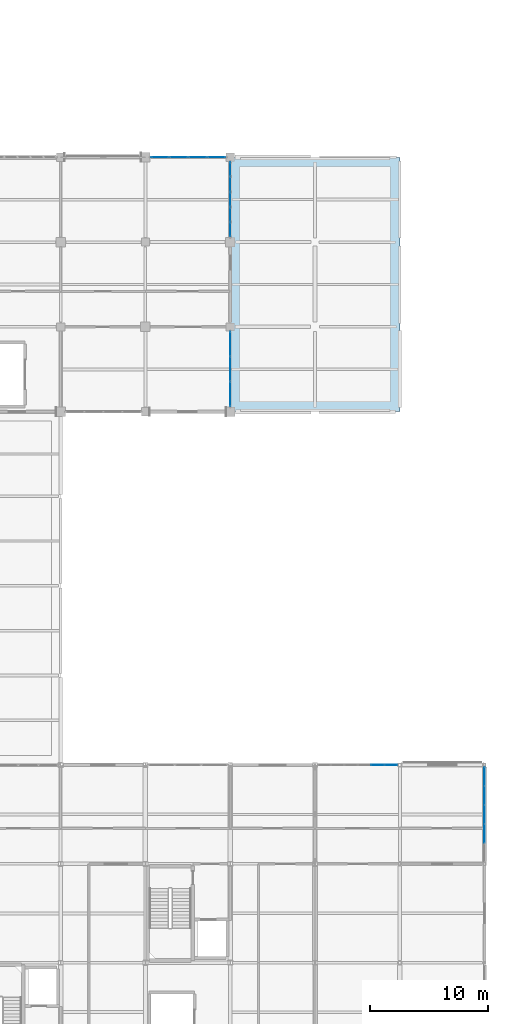
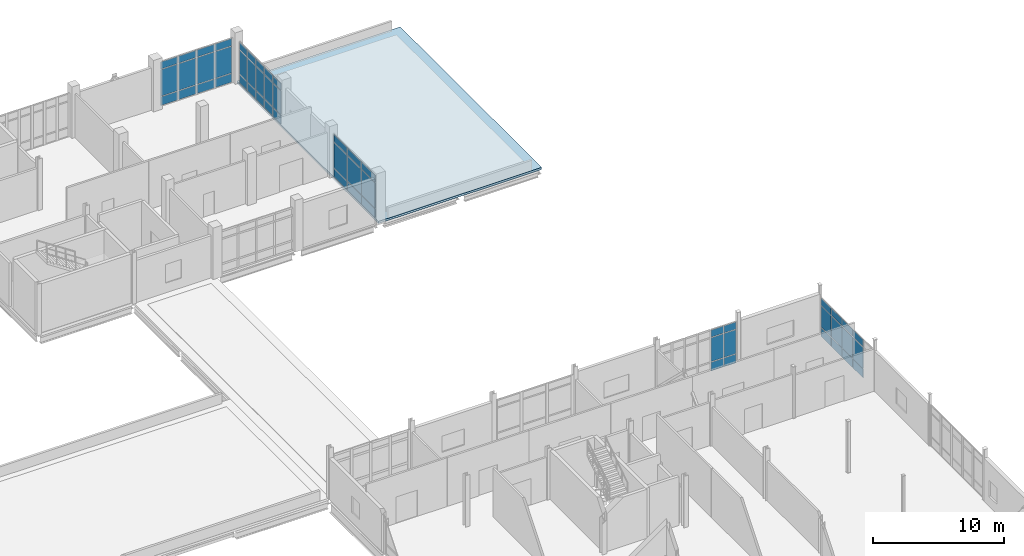
# One storey, part 106 of 153: 54 plates, 1 slab, 5 elements without a shape of their own.
"""IFC4 building model written with IfcOpenShell, lengths in metres."""

from ifc_helpers import new_model, si_unit, direction, frame, origin, origin_2d, place, context, subcontext, project, spatial, polyline, rectangle, outline, extrude, material, layer, layer_set, type_object, element, aggregate, save


model = new_model("IFC4")

# Units and contexts
model_context = context("Model", 3, precision=1e-05, world=origin(), true_north=direction((0.0, 1.0)))
body_context = subcontext(model_context, "Body", "Model", "MODEL_VIEW")
ifc_project = project(units=[si_unit("LENGTHUNIT", "METRE"), si_unit("AREAUNIT", "SQUARE_METRE"), si_unit("VOLUMEUNIT", "CUBIC_METRE"), si_unit("PLANEANGLEUNIT", "RADIAN"), si_unit("MASSUNIT", "GRAM", prefix="KILO")], contexts=[model_context])

# Site, building, storey
site_placement = place(None, origin())
site = spatial("IfcSite", under=ifc_project, at=site_placement, CompositionType="ELEMENT")
building_placement = place(site_placement, origin())
building = spatial("IfcBuilding", under=site, at=building_placement, Name="Calvrana Isthmian Art Gallery", CompositionType="ELEMENT")
storey_placement = place(building_placement, frame((0.0, 0.0, 10.199951171875)))
storey = spatial("IfcBuildingStorey", under=building, at=storey_placement, Name="L02", CompositionType="ELEMENT", Elevation=10.199951171875)

# Curtain wall, plates
ifc_material_1 = material(Name="Anodized bronze aluminium 6063-T6", Category="aluminium")
ifc_layer_1 = layer(ifc_material_1, 0.179931640625, Name="Anodized bronze aluminium 6063-T6")
ifc_layer_set_1 = layer_set([ifc_layer_1], Name="Anodized bronze aluminium 6063-T6")
curtain_wall_type_1 = type_object("IfcCurtainWallType", Name="CW-STICK-068X39", PredefinedType="NOTDEFINED", material=ifc_layer_set_1)
curtain_wall_1_placement = place(storey_placement, origin())
curtain_wall_1 = element("IfcCurtainWall", 1, at=curtain_wall_1_placement, inside=storey, type_object=curtain_wall_type_1, Name="Curtain wall CW-156", PredefinedType="NOTDEFINED")
ifc_material_2 = material(Name="Low-E laminated solar glass", Category="glass")
ifc_layer_2 = layer(ifc_material_2, 0.028076171875, Name="Low-E laminated solar glass")
ifc_layer_set_2 = layer_set([ifc_layer_2], Name="Low-E laminated solar glass")
plate_type = type_object("IfcPlateType", Name="CWP-VISION-28", PredefinedType="CURTAIN_PANEL", material=ifc_layer_set_2)
plate_1_placement = place(storey_placement, frame((146.935546875, 46.800048828125, 0.06005859375), z_axis=(0.0, 0.0, 1.0), x_axis=(1.0, 0.0, 0.0)))
plate_1 = element("IfcPlate", 2, at=plate_1_placement, type_object=plate_type, Name="CW-156 panel 5.1", PredefinedType="CURTAIN_PANEL", context=body_context, shape_type="SweptSolid", body=[
    extrude(rectangle(XDim=1.081298828125, YDim=0.028076171875, at=origin_2d()), origin(), (0.0, 0.0, 1.0), 0.81005859375),
])
plate_2_placement = place(storey_placement, frame((146.935546875, 46.800048828125, 0.93017578125), z_axis=(0.0, 0.0, 1.0), x_axis=(1.0, 0.0, 0.0)))
plate_2 = element("IfcPlate", 3, at=plate_2_placement, type_object=plate_type, Name="CW-156 panel 5.2", PredefinedType="CURTAIN_PANEL", context=body_context, shape_type="SweptSolid", body=[
    extrude(rectangle(XDim=1.081298828125, YDim=0.028076171875, at=origin_2d()), origin(), (0.0, 0.0, 1.0), 2.222900390625),
])
plate_3_placement = place(storey_placement, frame((146.935546875, 46.800048828125, 3.212890625), z_axis=(0.0, 0.0, 1.0), x_axis=(1.0, 0.0, 0.0)))
plate_3 = element("IfcPlate", 4, at=plate_3_placement, type_object=plate_type, Name="CW-156 panel 5.3", PredefinedType="CURTAIN_PANEL", context=body_context, shape_type="SweptSolid", body=[
    extrude(rectangle(XDim=1.081298828125, YDim=0.028076171875, at=origin_2d()), origin(), (0.0, 0.0, 1.0), 0.659912109375),
])
plate_4_placement = place(storey_placement, frame((148.06201171875, 46.800048828125, 0.06005859375), z_axis=(0.0, 0.0, 1.0), x_axis=(1.0, 0.0, 0.0)))
plate_4 = element("IfcPlate", 5, at=plate_4_placement, type_object=plate_type, Name="CW-156 panel 6.1", PredefinedType="CURTAIN_PANEL", context=body_context, shape_type="SweptSolid", body=[
    extrude(rectangle(XDim=1.05126953125, YDim=0.028076171875, at=origin_2d()), origin(), (0.0, 0.0, 1.0), 0.81005859375),
])
plate_5_placement = place(storey_placement, frame((148.06201171875, 46.800048828125, 0.93017578125), z_axis=(0.0, 0.0, 1.0), x_axis=(1.0, 0.0, 0.0)))
plate_5 = element("IfcPlate", 6, at=plate_5_placement, type_object=plate_type, Name="CW-156 panel 6.2", PredefinedType="CURTAIN_PANEL", context=body_context, shape_type="SweptSolid", body=[
    extrude(rectangle(XDim=1.05126953125, YDim=0.028076171875, at=origin_2d()), origin(), (0.0, 0.0, 1.0), 2.222900390625),
])
plate_6_placement = place(storey_placement, frame((148.06201171875, 46.800048828125, 3.212890625), z_axis=(0.0, 0.0, 1.0), x_axis=(1.0, 0.0, 0.0)))
plate_6 = element("IfcPlate", 7, at=plate_6_placement, type_object=plate_type, Name="CW-156 panel 6.3", PredefinedType="CURTAIN_PANEL", context=body_context, shape_type="SweptSolid", body=[
    extrude(rectangle(XDim=1.05126953125, YDim=0.028076171875, at=origin_2d()), origin(), (0.0, 0.0, 1.0), 0.659912109375),
])
aggregate(curtain_wall_1, [plate_1, plate_2, plate_3, plate_4, plate_5, plate_6])

ifc_layer_3 = layer(ifc_material_1, 0.179931640625, Name="Anodized bronze aluminium 6063-T6")
ifc_layer_set_3 = layer_set([ifc_layer_3], Name="Anodized bronze aluminium 6063-T6")
curtain_wall_type_2 = type_object("IfcCurtainWallType", Name="CW-STICK-065X42", PredefinedType="NOTDEFINED", material=ifc_layer_set_3)
curtain_wall_2_placement = place(storey_placement, origin())
curtain_wall_2 = element("IfcCurtainWall", 8, at=curtain_wall_2_placement, inside=storey, type_object=curtain_wall_type_2, Name="Curtain wall CW-161", PredefinedType="NOTDEFINED")
plate_7_placement = place(storey_placement, frame((128.42626953125, 98.39990234375, 0.06005859375), z_axis=(0.0, 0.0, 1.0), x_axis=(1.0, 0.0, 0.0)))
plate_7 = element("IfcPlate", 9, at=plate_7_placement, type_object=plate_type, Name="CW-161 panel 1.1", PredefinedType="CURTAIN_PANEL", context=body_context, shape_type="SweptSolid", body=[
    extrude(rectangle(XDim=1.492431640625, YDim=0.028076171875, at=origin_2d()), origin(), (0.0, 0.0, 1.0), 0.81005859375),
])
plate_8_placement = place(storey_placement, frame((128.42626953125, 98.39990234375, 0.929931640625), z_axis=(0.0, 0.0, 1.0), x_axis=(1.0, 0.0, 0.0)))
plate_8 = element("IfcPlate", 10, at=plate_8_placement, type_object=plate_type, Name="CW-161 panel 1.2", PredefinedType="CURTAIN_PANEL", context=body_context, shape_type="SweptSolid", body=[
    extrude(rectangle(XDim=1.492431640625, YDim=0.028076171875, at=origin_2d()), origin(), (0.0, 0.0, 1.0), 2.47412109375),
])
plate_9_placement = place(storey_placement, frame((128.42626953125, 98.39990234375, 3.4638671875), z_axis=(0.0, 0.0, 1.0), x_axis=(1.0, 0.0, 0.0)))
plate_9 = element("IfcPlate", 11, at=plate_9_placement, type_object=plate_type, Name="CW-161 panel 1.3", PredefinedType="CURTAIN_PANEL", context=body_context, shape_type="SweptSolid", body=[
    extrude(rectangle(XDim=1.492431640625, YDim=0.028076171875, at=origin_2d()), origin(), (0.0, 0.0, 1.0), 0.659912109375),
])
plate_10_placement = place(storey_placement, frame((130.018798828125, 98.39990234375, 0.06005859375), z_axis=(0.0, 0.0, 1.0), x_axis=(1.0, 0.0, 0.0)))
plate_10 = element("IfcPlate", 12, at=plate_10_placement, type_object=plate_type, Name="CW-161 panel 2.1", PredefinedType="CURTAIN_PANEL", context=body_context, shape_type="SweptSolid", body=[
    extrude(rectangle(XDim=1.532470703125, YDim=0.028076171875, at=origin_2d()), origin(), (0.0, 0.0, 1.0), 0.81005859375),
])
plate_11_placement = place(storey_placement, frame((130.018798828125, 98.39990234375, 0.929931640625), z_axis=(0.0, 0.0, 1.0), x_axis=(1.0, 0.0, 0.0)))
plate_11 = element("IfcPlate", 13, at=plate_11_placement, type_object=plate_type, Name="CW-161 panel 2.2", PredefinedType="CURTAIN_PANEL", context=body_context, shape_type="SweptSolid", body=[
    extrude(rectangle(XDim=1.532470703125, YDim=0.028076171875, at=origin_2d()), origin(), (0.0, 0.0, 1.0), 2.47412109375),
])
plate_12_placement = place(storey_placement, frame((130.018798828125, 98.39990234375, 3.4638671875), z_axis=(0.0, 0.0, 1.0), x_axis=(1.0, 0.0, 0.0)))
plate_12 = element("IfcPlate", 14, at=plate_12_placement, type_object=plate_type, Name="CW-161 panel 2.3", PredefinedType="CURTAIN_PANEL", context=body_context, shape_type="SweptSolid", body=[
    extrude(rectangle(XDim=1.532470703125, YDim=0.028076171875, at=origin_2d()), origin(), (0.0, 0.0, 1.0), 0.659912109375),
])
plate_13_placement = place(storey_placement, frame((131.63134765625, 98.39990234375, 0.06005859375), z_axis=(0.0, 0.0, 1.0), x_axis=(1.0, 0.0, 0.0)))
plate_13 = element("IfcPlate", 15, at=plate_13_placement, type_object=plate_type, Name="CW-161 panel 3.1", PredefinedType="CURTAIN_PANEL", context=body_context, shape_type="SweptSolid", body=[
    extrude(rectangle(XDim=1.532470703125, YDim=0.028076171875, at=origin_2d()), origin(), (0.0, 0.0, 1.0), 0.81005859375),
])
plate_14_placement = place(storey_placement, frame((131.63134765625, 98.39990234375, 0.929931640625), z_axis=(0.0, 0.0, 1.0), x_axis=(1.0, 0.0, 0.0)))
plate_14 = element("IfcPlate", 16, at=plate_14_placement, type_object=plate_type, Name="CW-161 panel 3.2", PredefinedType="CURTAIN_PANEL", context=body_context, shape_type="SweptSolid", body=[
    extrude(rectangle(XDim=1.532470703125, YDim=0.028076171875, at=origin_2d()), origin(), (0.0, 0.0, 1.0), 2.47412109375),
])
plate_15_placement = place(storey_placement, frame((131.63134765625, 98.39990234375, 3.4638671875), z_axis=(0.0, 0.0, 1.0), x_axis=(1.0, 0.0, 0.0)))
plate_15 = element("IfcPlate", 17, at=plate_15_placement, type_object=plate_type, Name="CW-161 panel 3.3", PredefinedType="CURTAIN_PANEL", context=body_context, shape_type="SweptSolid", body=[
    extrude(rectangle(XDim=1.532470703125, YDim=0.028076171875, at=origin_2d()), origin(), (0.0, 0.0, 1.0), 0.659912109375),
])
plate_16_placement = place(storey_placement, frame((133.2236328125, 98.39990234375, 0.06005859375), z_axis=(0.0, 0.0, 1.0), x_axis=(1.0, 0.0, 0.0)))
plate_16 = element("IfcPlate", 18, at=plate_16_placement, type_object=plate_type, Name="CW-161 panel 4.1", PredefinedType="CURTAIN_PANEL", context=body_context, shape_type="SweptSolid", body=[
    extrude(rectangle(XDim=1.492431640625, YDim=0.028076171875, at=origin_2d()), origin(), (0.0, 0.0, 1.0), 0.81005859375),
])
plate_17_placement = place(storey_placement, frame((133.2236328125, 98.39990234375, 0.929931640625), z_axis=(0.0, 0.0, 1.0), x_axis=(1.0, 0.0, 0.0)))
plate_17 = element("IfcPlate", 19, at=plate_17_placement, type_object=plate_type, Name="CW-161 panel 4.2", PredefinedType="CURTAIN_PANEL", context=body_context, shape_type="SweptSolid", body=[
    extrude(rectangle(XDim=1.492431640625, YDim=0.028076171875, at=origin_2d()), origin(), (0.0, 0.0, 1.0), 2.47412109375),
])
plate_18_placement = place(storey_placement, frame((133.2236328125, 98.39990234375, 3.4638671875), z_axis=(0.0, 0.0, 1.0), x_axis=(1.0, 0.0, 0.0)))
plate_18 = element("IfcPlate", 20, at=plate_18_placement, type_object=plate_type, Name="CW-161 panel 4.3", PredefinedType="CURTAIN_PANEL", context=body_context, shape_type="SweptSolid", body=[
    extrude(rectangle(XDim=1.492431640625, YDim=0.028076171875, at=origin_2d()), origin(), (0.0, 0.0, 1.0), 0.659912109375),
])
aggregate(curtain_wall_2, [plate_7, plate_8, plate_9, plate_10, plate_11, plate_12, plate_13, plate_14, plate_15, plate_16, plate_17, plate_18])

ifc_layer_4 = layer(ifc_material_1, 0.179931640625, Name="Anodized bronze aluminium 6063-T6")
ifc_layer_set_4 = layer_set([ifc_layer_4], Name="Anodized bronze aluminium 6063-T6")
curtain_wall_type_3 = type_object("IfcCurtainWallType", Name="CW-UNIT-065X41", PredefinedType="USERDEFINED", material=ifc_layer_set_4)
curtain_wall_3_placement = place(storey_placement, origin())
curtain_wall_3 = element("IfcCurtainWall", 21, at=curtain_wall_3_placement, inside=storey, type_object=curtain_wall_type_3, Name="Curtain wall CW-183", ObjectType="UNITISED CURTAIN WALL", PredefinedType="USERDEFINED")
plate_19_placement = place(storey_placement, frame((134.39990234375, 82.5576171875, 0.070068359375), z_axis=(0.0, 0.0, 1.0), x_axis=(0.0, -1.0, 0.0)))
plate_19 = element("IfcPlate", 22, at=plate_19_placement, type_object=plate_type, Name="CW-183 panel 1.1", PredefinedType="CURTAIN_PANEL", context=body_context, shape_type="SweptSolid", body=[
    extrude(rectangle(XDim=2.044921875, YDim=0.028076171875, at=origin_2d()), origin(), (0.0, 0.0, 1.0), 0.794921875),
])
plate_20_placement = place(storey_placement, frame((134.39990234375, 82.5576171875, 0.93505859375), z_axis=(0.0, 0.0, 1.0), x_axis=(0.0, -1.0, 0.0)))
plate_20 = element("IfcPlate", 23, at=plate_20_placement, type_object=plate_type, Name="CW-183 panel 1.2", PredefinedType="CURTAIN_PANEL", context=body_context, shape_type="SweptSolid", body=[
    extrude(rectangle(XDim=2.044921875, YDim=0.028076171875, at=origin_2d()), origin(), (0.0, 0.0, 1.0), 2.35791015625),
])
plate_21_placement = place(storey_placement, frame((134.39990234375, 82.5576171875, 3.363037109375), z_axis=(0.0, 0.0, 1.0), x_axis=(0.0, -1.0, 0.0)))
plate_21 = element("IfcPlate", 24, at=plate_21_placement, type_object=plate_type, Name="CW-183 panel 1.3", PredefinedType="CURTAIN_PANEL", context=body_context, shape_type="SweptSolid", body=[
    extrude(rectangle(XDim=2.044921875, YDim=0.028076171875, at=origin_2d()), origin(), (0.0, 0.0, 1.0), 0.64501953125),
])
plate_22_placement = place(storey_placement, frame((134.39990234375, 80.425048828125, 0.070068359375), z_axis=(0.0, 0.0, 1.0), x_axis=(0.0, -1.0, 0.0)))
plate_22 = element("IfcPlate", 25, at=plate_22_placement, type_object=plate_type, Name="CW-183 panel 2.1", PredefinedType="CURTAIN_PANEL", context=body_context, shape_type="SweptSolid", body=[
    extrude(rectangle(XDim=2.080078125, YDim=0.028076171875, at=origin_2d()), origin(), (0.0, 0.0, 1.0), 0.794921875),
])
plate_23_placement = place(storey_placement, frame((134.39990234375, 80.425048828125, 0.93505859375), z_axis=(0.0, 0.0, 1.0), x_axis=(0.0, -1.0, 0.0)))
plate_23 = element("IfcPlate", 26, at=plate_23_placement, type_object=plate_type, Name="CW-183 panel 2.2", PredefinedType="CURTAIN_PANEL", context=body_context, shape_type="SweptSolid", body=[
    extrude(rectangle(XDim=2.080078125, YDim=0.028076171875, at=origin_2d()), origin(), (0.0, 0.0, 1.0), 2.35791015625),
])
plate_24_placement = place(storey_placement, frame((134.39990234375, 80.425048828125, 3.363037109375), z_axis=(0.0, 0.0, 1.0), x_axis=(0.0, -1.0, 0.0)))
plate_24 = element("IfcPlate", 27, at=plate_24_placement, type_object=plate_type, Name="CW-183 panel 2.3", PredefinedType="CURTAIN_PANEL", context=body_context, shape_type="SweptSolid", body=[
    extrude(rectangle(XDim=2.080078125, YDim=0.028076171875, at=origin_2d()), origin(), (0.0, 0.0, 1.0), 0.64501953125),
])
plate_25_placement = place(storey_placement, frame((134.39990234375, 78.29248046875, 0.070068359375), z_axis=(0.0, 0.0, 1.0), x_axis=(0.0, -1.0, 0.0)))
plate_25 = element("IfcPlate", 28, at=plate_25_placement, type_object=plate_type, Name="CW-183 panel 3.1", PredefinedType="CURTAIN_PANEL", context=body_context, shape_type="SweptSolid", body=[
    extrude(rectangle(XDim=2.044921875, YDim=0.028076171875, at=origin_2d()), origin(), (0.0, 0.0, 1.0), 0.794921875),
])
plate_26_placement = place(storey_placement, frame((134.39990234375, 78.29248046875, 0.93505859375), z_axis=(0.0, 0.0, 1.0), x_axis=(0.0, -1.0, 0.0)))
plate_26 = element("IfcPlate", 29, at=plate_26_placement, type_object=plate_type, Name="CW-183 panel 3.2", PredefinedType="CURTAIN_PANEL", context=body_context, shape_type="SweptSolid", body=[
    extrude(rectangle(XDim=2.044921875, YDim=0.028076171875, at=origin_2d()), origin(), (0.0, 0.0, 1.0), 2.35791015625),
])
plate_27_placement = place(storey_placement, frame((134.39990234375, 78.29248046875, 3.363037109375), z_axis=(0.0, 0.0, 1.0), x_axis=(0.0, -1.0, 0.0)))
plate_27 = element("IfcPlate", 30, at=plate_27_placement, type_object=plate_type, Name="CW-183 panel 3.3", PredefinedType="CURTAIN_PANEL", context=body_context, shape_type="SweptSolid", body=[
    extrude(rectangle(XDim=2.044921875, YDim=0.028076171875, at=origin_2d()), origin(), (0.0, 0.0, 1.0), 0.64501953125),
])
aggregate(curtain_wall_3, [plate_19, plate_20, plate_21, plate_22, plate_23, plate_24, plate_25, plate_26, plate_27])

ifc_layer_5 = layer(ifc_material_1, 0.179931640625, Name="Anodized bronze aluminium 6063-T6")
ifc_layer_set_5 = layer_set([ifc_layer_5], Name="Anodized bronze aluminium 6063-T6")
curtain_wall_type_4 = type_object("IfcCurtainWallType", Name="CW-UNIT-065X39", PredefinedType="USERDEFINED", material=ifc_layer_set_5)
curtain_wall_4_placement = place(storey_placement, origin())
curtain_wall_4 = element("IfcCurtainWall", 31, at=curtain_wall_4_placement, inside=storey, type_object=curtain_wall_type_4, Name="Curtain wall CW-184", ObjectType="UNITISED CURTAIN WALL", PredefinedType="USERDEFINED")
plate_28_placement = place(storey_placement, frame((134.39990234375, 97.38623046875, 0.074951171875), z_axis=(0.0, 0.0, 1.0), x_axis=(0.0, -1.0, 0.0)))
plate_28 = element("IfcPlate", 32, at=plate_28_placement, type_object=plate_type, Name="CW-184 panel 1.1", PredefinedType="CURTAIN_PANEL", context=body_context, shape_type="SweptSolid", body=[
    extrude(rectangle(XDim=1.177490234375, YDim=0.028076171875, at=origin_2d()), origin(), (0.0, 0.0, 1.0), 0.78759765625),
])
plate_29_placement = place(storey_placement, frame((134.39990234375, 97.38623046875, 0.9375), z_axis=(0.0, 0.0, 1.0), x_axis=(0.0, -1.0, 0.0)))
plate_29 = element("IfcPlate", 33, at=plate_29_placement, type_object=plate_type, Name="CW-184 panel 1.2", PredefinedType="CURTAIN_PANEL", context=body_context, shape_type="SweptSolid", body=[
    extrude(rectangle(XDim=1.177490234375, YDim=0.028076171875, at=origin_2d()), origin(), (0.0, 0.0, 1.0), 2.2080078125),
])
plate_30_placement = place(storey_placement, frame((134.39990234375, 97.38623046875, 3.220703125), z_axis=(0.0, 0.0, 1.0), x_axis=(0.0, -1.0, 0.0)))
plate_30 = element("IfcPlate", 34, at=plate_30_placement, type_object=plate_type, Name="CW-184 panel 1.3", PredefinedType="CURTAIN_PANEL", context=body_context, shape_type="SweptSolid", body=[
    extrude(rectangle(XDim=1.177490234375, YDim=0.028076171875, at=origin_2d()), origin(), (0.0, 0.0, 1.0), 0.637451171875),
])
plate_31_placement = place(storey_placement, frame((134.39990234375, 96.114990234375, 0.074951171875), z_axis=(0.0, 0.0, 1.0), x_axis=(0.0, -1.0, 0.0)))
plate_31 = element("IfcPlate", 35, at=plate_31_placement, type_object=plate_type, Name="CW-184 panel 2.1", PredefinedType="CURTAIN_PANEL", context=body_context, shape_type="SweptSolid", body=[
    extrude(rectangle(XDim=1.215087890625, YDim=0.028076171875, at=origin_2d()), origin(), (0.0, 0.0, 1.0), 0.78759765625),
])
plate_32_placement = place(storey_placement, frame((134.39990234375, 96.114990234375, 0.9375), z_axis=(0.0, 0.0, 1.0), x_axis=(0.0, -1.0, 0.0)))
plate_32 = element("IfcPlate", 36, at=plate_32_placement, type_object=plate_type, Name="CW-184 panel 2.2", PredefinedType="CURTAIN_PANEL", context=body_context, shape_type="SweptSolid", body=[
    extrude(rectangle(XDim=1.215087890625, YDim=0.028076171875, at=origin_2d()), origin(), (0.0, 0.0, 1.0), 2.2080078125),
])
plate_33_placement = place(storey_placement, frame((134.39990234375, 96.114990234375, 3.220703125), z_axis=(0.0, 0.0, 1.0), x_axis=(0.0, -1.0, 0.0)))
plate_33 = element("IfcPlate", 37, at=plate_33_placement, type_object=plate_type, Name="CW-184 panel 2.3", PredefinedType="CURTAIN_PANEL", context=body_context, shape_type="SweptSolid", body=[
    extrude(rectangle(XDim=1.215087890625, YDim=0.028076171875, at=origin_2d()), origin(), (0.0, 0.0, 1.0), 0.637451171875),
])
plate_34_placement = place(storey_placement, frame((134.39990234375, 94.824951171875, 0.074951171875), z_axis=(0.0, 0.0, 1.0), x_axis=(0.0, -1.0, 0.0)))
plate_34 = element("IfcPlate", 38, at=plate_34_placement, type_object=plate_type, Name="CW-184 panel 3.1", PredefinedType="CURTAIN_PANEL", context=body_context, shape_type="SweptSolid", body=[
    extrude(rectangle(XDim=1.215087890625, YDim=0.028076171875, at=origin_2d()), origin(), (0.0, 0.0, 1.0), 0.78759765625),
])
plate_35_placement = place(storey_placement, frame((134.39990234375, 94.824951171875, 0.9375), z_axis=(0.0, 0.0, 1.0), x_axis=(0.0, -1.0, 0.0)))
plate_35 = element("IfcPlate", 39, at=plate_35_placement, type_object=plate_type, Name="CW-184 panel 3.2", PredefinedType="CURTAIN_PANEL", context=body_context, shape_type="SweptSolid", body=[
    extrude(rectangle(XDim=1.215087890625, YDim=0.028076171875, at=origin_2d()), origin(), (0.0, 0.0, 1.0), 2.2080078125),
])
plate_36_placement = place(storey_placement, frame((134.39990234375, 94.824951171875, 3.220703125), z_axis=(0.0, 0.0, 1.0), x_axis=(0.0, -1.0, 0.0)))
plate_36 = element("IfcPlate", 40, at=plate_36_placement, type_object=plate_type, Name="CW-184 panel 3.3", PredefinedType="CURTAIN_PANEL", context=body_context, shape_type="SweptSolid", body=[
    extrude(rectangle(XDim=1.215087890625, YDim=0.028076171875, at=origin_2d()), origin(), (0.0, 0.0, 1.0), 0.637451171875),
])
plate_37_placement = place(storey_placement, frame((134.39990234375, 93.534912109375, 0.074951171875), z_axis=(0.0, 0.0, 1.0), x_axis=(0.0, -1.0, 0.0)))
plate_37 = element("IfcPlate", 41, at=plate_37_placement, type_object=plate_type, Name="CW-184 panel 4.1", PredefinedType="CURTAIN_PANEL", context=body_context, shape_type="SweptSolid", body=[
    extrude(rectangle(XDim=1.215087890625, YDim=0.028076171875, at=origin_2d()), origin(), (0.0, 0.0, 1.0), 0.78759765625),
])
plate_38_placement = place(storey_placement, frame((134.39990234375, 93.534912109375, 0.9375), z_axis=(0.0, 0.0, 1.0), x_axis=(0.0, -1.0, 0.0)))
plate_38 = element("IfcPlate", 42, at=plate_38_placement, type_object=plate_type, Name="CW-184 panel 4.2", PredefinedType="CURTAIN_PANEL", context=body_context, shape_type="SweptSolid", body=[
    extrude(rectangle(XDim=1.215087890625, YDim=0.028076171875, at=origin_2d()), origin(), (0.0, 0.0, 1.0), 2.2080078125),
])
plate_39_placement = place(storey_placement, frame((134.39990234375, 93.534912109375, 3.220703125), z_axis=(0.0, 0.0, 1.0), x_axis=(0.0, -1.0, 0.0)))
plate_39 = element("IfcPlate", 43, at=plate_39_placement, type_object=plate_type, Name="CW-184 panel 4.3", PredefinedType="CURTAIN_PANEL", context=body_context, shape_type="SweptSolid", body=[
    extrude(rectangle(XDim=1.215087890625, YDim=0.028076171875, at=origin_2d()), origin(), (0.0, 0.0, 1.0), 0.637451171875),
])
plate_40_placement = place(storey_placement, frame((134.39990234375, 92.263671875, 0.074951171875), z_axis=(0.0, 0.0, 1.0), x_axis=(0.0, -1.0, 0.0)))
plate_40 = element("IfcPlate", 44, at=plate_40_placement, type_object=plate_type, Name="CW-184 panel 5.1", PredefinedType="CURTAIN_PANEL", context=body_context, shape_type="SweptSolid", body=[
    extrude(rectangle(XDim=1.177490234375, YDim=0.028076171875, at=origin_2d()), origin(), (0.0, 0.0, 1.0), 0.78759765625),
])
plate_41_placement = place(storey_placement, frame((134.39990234375, 92.263671875, 0.9375), z_axis=(0.0, 0.0, 1.0), x_axis=(0.0, -1.0, 0.0)))
plate_41 = element("IfcPlate", 45, at=plate_41_placement, type_object=plate_type, Name="CW-184 panel 5.2", PredefinedType="CURTAIN_PANEL", context=body_context, shape_type="SweptSolid", body=[
    extrude(rectangle(XDim=1.177490234375, YDim=0.028076171875, at=origin_2d()), origin(), (0.0, 0.0, 1.0), 2.2080078125),
])
plate_42_placement = place(storey_placement, frame((134.39990234375, 92.263671875, 3.220703125), z_axis=(0.0, 0.0, 1.0), x_axis=(0.0, -1.0, 0.0)))
plate_42 = element("IfcPlate", 46, at=plate_42_placement, type_object=plate_type, Name="CW-184 panel 5.3", PredefinedType="CURTAIN_PANEL", context=body_context, shape_type="SweptSolid", body=[
    extrude(rectangle(XDim=1.177490234375, YDim=0.028076171875, at=origin_2d()), origin(), (0.0, 0.0, 1.0), 0.637451171875),
])
aggregate(curtain_wall_4, [plate_28, plate_29, plate_30, plate_31, plate_32, plate_33, plate_34, plate_35, plate_36, plate_37, plate_38, plate_39, plate_40, plate_41, plate_42])

ifc_layer_6 = layer(ifc_material_1, 0.179931640625, Name="Anodized bronze aluminium 6063-T6")
ifc_layer_set_6 = layer_set([ifc_layer_6], Name="Anodized bronze aluminium 6063-T6")
curtain_wall_type_5 = type_object("IfcCurtainWallType", Name="CW-UNIT-081X37", PredefinedType="USERDEFINED", material=ifc_layer_set_6)
curtain_wall_5_placement = place(storey_placement, origin())
curtain_wall_5 = element("IfcCurtainWall", 47, at=curtain_wall_5_placement, inside=storey, type_object=curtain_wall_type_5, Name="Curtain wall CW-186", ObjectType="UNITISED CURTAIN WALL", PredefinedType="USERDEFINED")
plate_43_placement = place(storey_placement, frame((156.0, 45.820556640625, 0.06005859375), z_axis=(0.0, 0.0, 1.0), x_axis=(0.0, -1.0, 0.0)))
plate_43 = element("IfcPlate", 48, at=plate_43_placement, type_object=plate_type, Name="CW-186 panel 1.1", PredefinedType="CURTAIN_PANEL", context=body_context, shape_type="SweptSolid", body=[
    extrude(rectangle(XDim=1.5341796875, YDim=0.028076171875, at=origin_2d()), origin(), (0.0, 0.0, 1.0), 0.81005859375),
])
plate_44_placement = place(storey_placement, frame((156.0, 45.820556640625, 0.929931640625), z_axis=(0.0, 0.0, 1.0), x_axis=(0.0, -1.0, 0.0)))
plate_44 = element("IfcPlate", 49, at=plate_44_placement, type_object=plate_type, Name="CW-186 panel 1.2", PredefinedType="CURTAIN_PANEL", context=body_context, shape_type="SweptSolid", body=[
    extrude(rectangle(XDim=1.5341796875, YDim=0.028076171875, at=origin_2d()), origin(), (0.0, 0.0, 1.0), 1.97412109375),
])
plate_45_placement = place(storey_placement, frame((156.0, 45.820556640625, 2.9638671875), z_axis=(0.0, 0.0, 1.0), x_axis=(0.0, -1.0, 0.0)))
plate_45 = element("IfcPlate", 50, at=plate_45_placement, type_object=plate_type, Name="CW-186 panel 1.3", PredefinedType="CURTAIN_PANEL", context=body_context, shape_type="SweptSolid", body=[
    extrude(rectangle(XDim=1.5341796875, YDim=0.028076171875, at=origin_2d()), origin(), (0.0, 0.0, 1.0), 0.659912109375),
])
plate_46_placement = place(storey_placement, frame((156.0, 44.21142578125, 0.06005859375), z_axis=(0.0, 0.0, 1.0), x_axis=(0.0, -1.0, 0.0)))
plate_46 = element("IfcPlate", 51, at=plate_46_placement, type_object=plate_type, Name="CW-186 panel 2.1", PredefinedType="CURTAIN_PANEL", context=body_context, shape_type="SweptSolid", body=[
    extrude(rectangle(XDim=1.564208984375, YDim=0.028076171875, at=origin_2d()), origin(), (0.0, 0.0, 1.0), 0.81005859375),
])
plate_47_placement = place(storey_placement, frame((156.0, 44.21142578125, 0.929931640625), z_axis=(0.0, 0.0, 1.0), x_axis=(0.0, -1.0, 0.0)))
plate_47 = element("IfcPlate", 52, at=plate_47_placement, type_object=plate_type, Name="CW-186 panel 2.2", PredefinedType="CURTAIN_PANEL", context=body_context, shape_type="SweptSolid", body=[
    extrude(rectangle(XDim=1.564208984375, YDim=0.028076171875, at=origin_2d()), origin(), (0.0, 0.0, 1.0), 1.97412109375),
])
plate_48_placement = place(storey_placement, frame((156.0, 44.21142578125, 2.9638671875), z_axis=(0.0, 0.0, 1.0), x_axis=(0.0, -1.0, 0.0)))
plate_48 = element("IfcPlate", 53, at=plate_48_placement, type_object=plate_type, Name="CW-186 panel 2.3", PredefinedType="CURTAIN_PANEL", context=body_context, shape_type="SweptSolid", body=[
    extrude(rectangle(XDim=1.564208984375, YDim=0.028076171875, at=origin_2d()), origin(), (0.0, 0.0, 1.0), 0.659912109375),
])
plate_49_placement = place(storey_placement, frame((156.0, 42.58740234375, 0.06005859375), z_axis=(0.0, 0.0, 1.0), x_axis=(0.0, -1.0, 0.0)))
plate_49 = element("IfcPlate", 54, at=plate_49_placement, type_object=plate_type, Name="CW-186 panel 3.1", PredefinedType="CURTAIN_PANEL", context=body_context, shape_type="SweptSolid", body=[
    extrude(rectangle(XDim=1.564208984375, YDim=0.028076171875, at=origin_2d()), origin(), (0.0, 0.0, 1.0), 0.81005859375),
])
plate_50_placement = place(storey_placement, frame((156.0, 42.58740234375, 0.929931640625), z_axis=(0.0, 0.0, 1.0), x_axis=(0.0, -1.0, 0.0)))
plate_50 = element("IfcPlate", 55, at=plate_50_placement, type_object=plate_type, Name="CW-186 panel 3.2", PredefinedType="CURTAIN_PANEL", context=body_context, shape_type="SweptSolid", body=[
    extrude(rectangle(XDim=1.564208984375, YDim=0.028076171875, at=origin_2d()), origin(), (0.0, 0.0, 1.0), 1.97412109375),
])
plate_51_placement = place(storey_placement, frame((156.0, 42.58740234375, 2.9638671875), z_axis=(0.0, 0.0, 1.0), x_axis=(0.0, -1.0, 0.0)))
plate_51 = element("IfcPlate", 56, at=plate_51_placement, type_object=plate_type, Name="CW-186 panel 3.3", PredefinedType="CURTAIN_PANEL", context=body_context, shape_type="SweptSolid", body=[
    extrude(rectangle(XDim=1.564208984375, YDim=0.028076171875, at=origin_2d()), origin(), (0.0, 0.0, 1.0), 0.659912109375),
])
plate_52_placement = place(storey_placement, frame((156.0, 40.963134765625, 0.06005859375), z_axis=(0.0, 0.0, 1.0), x_axis=(0.0, -1.0, 0.0)))
plate_52 = element("IfcPlate", 57, at=plate_52_placement, type_object=plate_type, Name="CW-186 panel 4.1", PredefinedType="CURTAIN_PANEL", context=body_context, shape_type="SweptSolid", body=[
    extrude(rectangle(XDim=1.564208984375, YDim=0.028076171875, at=origin_2d()), origin(), (0.0, 0.0, 1.0), 0.81005859375),
])
plate_53_placement = place(storey_placement, frame((156.0, 40.963134765625, 0.929931640625), z_axis=(0.0, 0.0, 1.0), x_axis=(0.0, -1.0, 0.0)))
plate_53 = element("IfcPlate", 58, at=plate_53_placement, type_object=plate_type, Name="CW-186 panel 4.2", PredefinedType="CURTAIN_PANEL", context=body_context, shape_type="SweptSolid", body=[
    extrude(rectangle(XDim=1.564208984375, YDim=0.028076171875, at=origin_2d()), origin(), (0.0, 0.0, 1.0), 1.97412109375),
])
plate_54_placement = place(storey_placement, frame((156.0, 40.963134765625, 2.9638671875), z_axis=(0.0, 0.0, 1.0), x_axis=(0.0, -1.0, 0.0)))
plate_54 = element("IfcPlate", 59, at=plate_54_placement, type_object=plate_type, Name="CW-186 panel 4.3", PredefinedType="CURTAIN_PANEL", context=body_context, shape_type="SweptSolid", body=[
    extrude(rectangle(XDim=1.564208984375, YDim=0.028076171875, at=origin_2d()), origin(), (0.0, 0.0, 1.0), 0.659912109375),
])
aggregate(curtain_wall_5, [plate_43, plate_44, plate_45, plate_46, plate_47, plate_48, plate_49, plate_50, plate_51, plate_52, plate_53, plate_54])

# Slab
ifc_material_3 = material(Name="Concrete C40/50", Category="concrete")
ifc_layer_7 = layer(ifc_material_3, 0.199951171875, Name="Concrete C40/50")
ifc_layer_set_7 = layer_set([ifc_layer_7], Name="Concrete C40/50")
slab_type = type_object("IfcSlabType", Name="SLB-ROOF-200", PredefinedType="ROOF", material=ifc_layer_set_7)
slab_placement = place(storey_placement, frame((0.0, 0.0, -0.199951171875)))
element("IfcSlab", 60, at=slab_placement, inside=storey, type_object=slab_type, Name="Flat roof slab ROOF_V5E_L02", PredefinedType="ROOF", context=body_context, shape_type="SweptSolid", body=[
    extrude(outline(polyline([(134.39990234375, 76.800048828125), (148.800048828125, 76.800048828125), (148.800048828125, 98.39990234375), (134.39990234375, 98.39990234375), (134.39990234375, 76.800048828125)])), origin(), (0.0, 0.0, 1.0), 0.199951171875),
])

save(model, "model.ifc")
